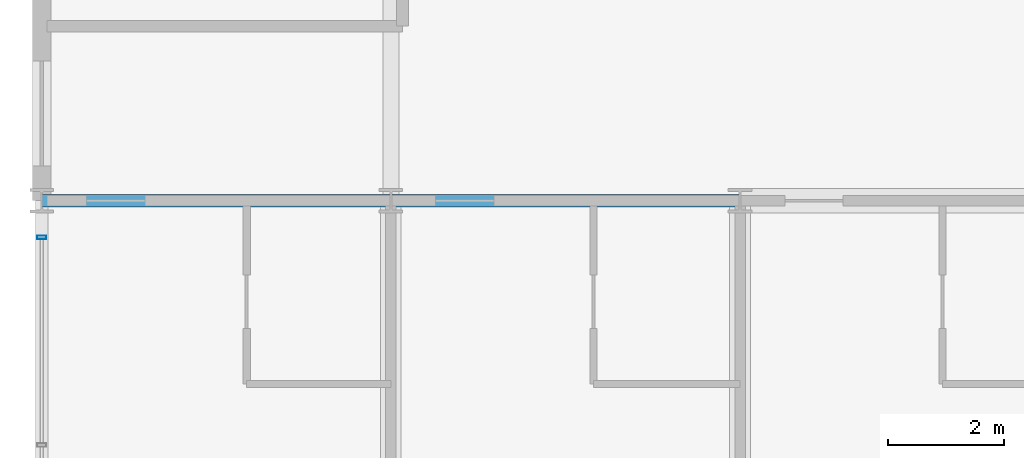
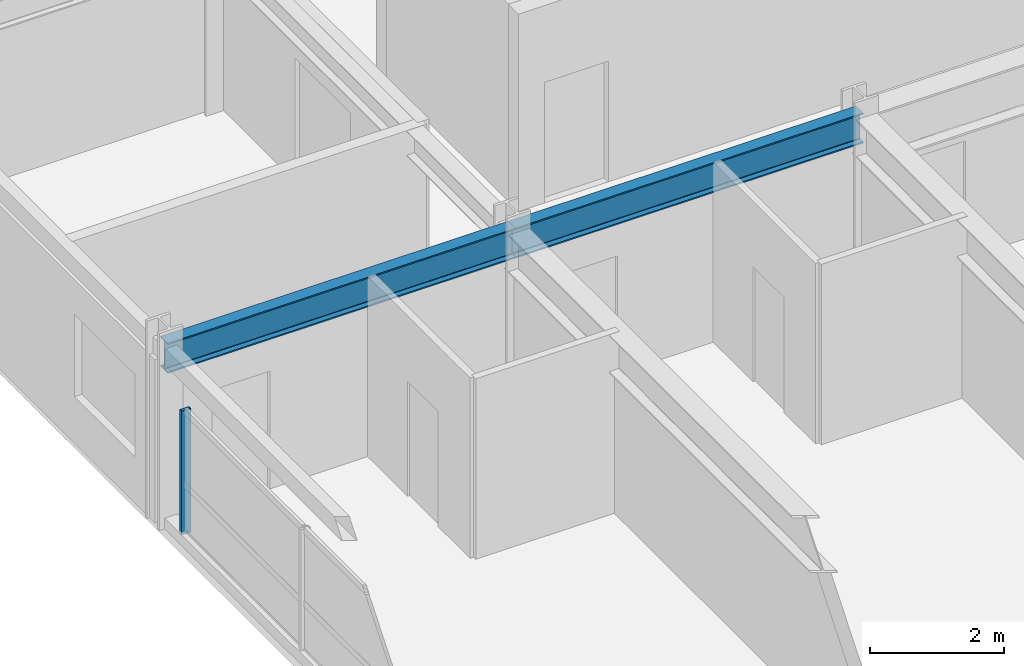
# One storey, part 4 of 20: 2 beams, 1 member, 1 element without a shape of its own.
"""IFC4 building model written with IfcOpenShell, lengths in metres."""

from ifc_helpers import new_model, si_unit, direction, frame, origin, origin_2d, place, context, subcontext, project, spatial, hollow_rectangle, i_section, extrude, material, material_profile, profile_set, type_object, element, aggregate, save


model = new_model("IFC4")

# Units and contexts
model_context = context("Model", 3, precision=1e-05, world=origin(), true_north=direction((0.0, 1.0)))
body_context = subcontext(model_context, "Body", "Model", "MODEL_VIEW")
ifc_project = project(units=[si_unit("LENGTHUNIT", "METRE"), si_unit("AREAUNIT", "SQUARE_METRE"), si_unit("VOLUMEUNIT", "CUBIC_METRE"), si_unit("PLANEANGLEUNIT", "RADIAN"), si_unit("MASSUNIT", "GRAM", prefix="KILO")], contexts=[model_context])

# Site, building, storey
site_placement = place(None, origin())
site = spatial("IfcSite", under=ifc_project, at=site_placement, CompositionType="ELEMENT")
building_placement = place(site_placement, origin())
building = spatial("IfcBuilding", under=site, at=building_placement, Name="Kaldorvane Square Convention Centre", CompositionType="ELEMENT")
storey_placement = place(building_placement, frame((0.0, 0.0, 52.80000305175781)))
storey = spatial("IfcBuildingStorey", under=building, at=storey_placement, Name="L12", CompositionType="ELEMENT", Elevation=52.80000305175781)

# Beams
ifc_material_1 = material(Name="Steel ASTM A992 Gr. 50", Category="steel")
ifc_material_profile_1 = material_profile(ifc_material_1, i_section(OverallWidth=0.213897705078125, OverallDepth=0.549102783203125, WebThickness=0.0146942138671875, FlangeThickness=0.0236053466796875, FilletRadius=0.0126953125, at=origin_2d()), Name="W21X93")
ifc_profile_set_1 = profile_set([ifc_material_profile_1], Name="Steel ASTM A992 Gr. 50")
beam_type = type_object("IfcBeamType", Name="BM-GR-W21X93", PredefinedType="BEAM", material=ifc_profile_set_1)
for number, where, z_axis, x_axis, name in (
    (1, (30.0, 96.0, 3.0114898681640625), (1.0, 0.0, 0.0), (0.0, 1.0, 0.0), "Primary Girder (L12)"),
    (2, (36.0, 96.0, 3.0114898681640625), (1.0, 0.0, 0.0), (0.0, 1.0, 0.0), "Primary Girder (L12)"),
):
    element("IfcBeam", number, at=place(storey_placement, frame(where, z_axis=z_axis, x_axis=x_axis)), inside=storey, type_object=beam_type, Name=name, PredefinedType="BEAM", context=body_context, shape_type="SweptSolid", body=[
        extrude(i_section(OverallWidth=0.213897705078125, OverallDepth=0.549102783203125, WebThickness=0.0146942138671875, FlangeThickness=0.0236053466796875, FilletRadius=0.0126953125, at=origin_2d()), origin(), (0.0, 0.0, 1.0), 6.0),
    ])

# Curtain wall, member
ifc_material_2 = material(Name="Anodized Aluminum and Low-E Insulated Glazing", Category="aluminium")
curtain_wall_type = type_object("IfcCurtainWallType", Name="CW-UNI-HTL-B", PredefinedType="USERDEFINED", material=ifc_material_2)
curtain_wall_placement = place(storey_placement, origin())
curtain_wall = element("IfcCurtainWall", 3, at=curtain_wall_placement, inside=storey, type_object=curtain_wall_type, Name="Curtain Wall CW-11 (L12)", ObjectType="UNITISED GLAZING", PredefinedType="USERDEFINED")
ifc_material_profile_2 = material_profile(ifc_material_2, hollow_rectangle(XDim=0.05999755859375, YDim=0.160003662109375, WallThickness=0.003204345703125, at=origin_2d()), Name="CWM-160X60")
ifc_profile_set_2 = profile_set([ifc_material_profile_2], Name="Anodized Aluminum and Low-E Insulated Glazing")
member_type = type_object("IfcMemberType", Name="CW-MUL-160", PredefinedType="MULLION", material=ifc_profile_set_2)
member_placement = place(storey_placement, frame((30.0, 95.3699951171875, 0.149993896484375), z_axis=(0.0, 0.0, 1.0), x_axis=(0.0, -1.0, 0.0)))
member = element("IfcMember", 4, at=member_placement, type_object=member_type, Name="CW-11 mullion 1", PredefinedType="MULLION", context=body_context, shape_type="SweptSolid", body=[
    extrude(hollow_rectangle(XDim=0.05999755859375, YDim=0.160003662109375, WallThickness=0.003204345703125, at=origin_2d()), origin(), (0.0, 0.0, 1.0), 2.260009765625),
])
aggregate(curtain_wall, [member])

save(model, "model.ifc")
